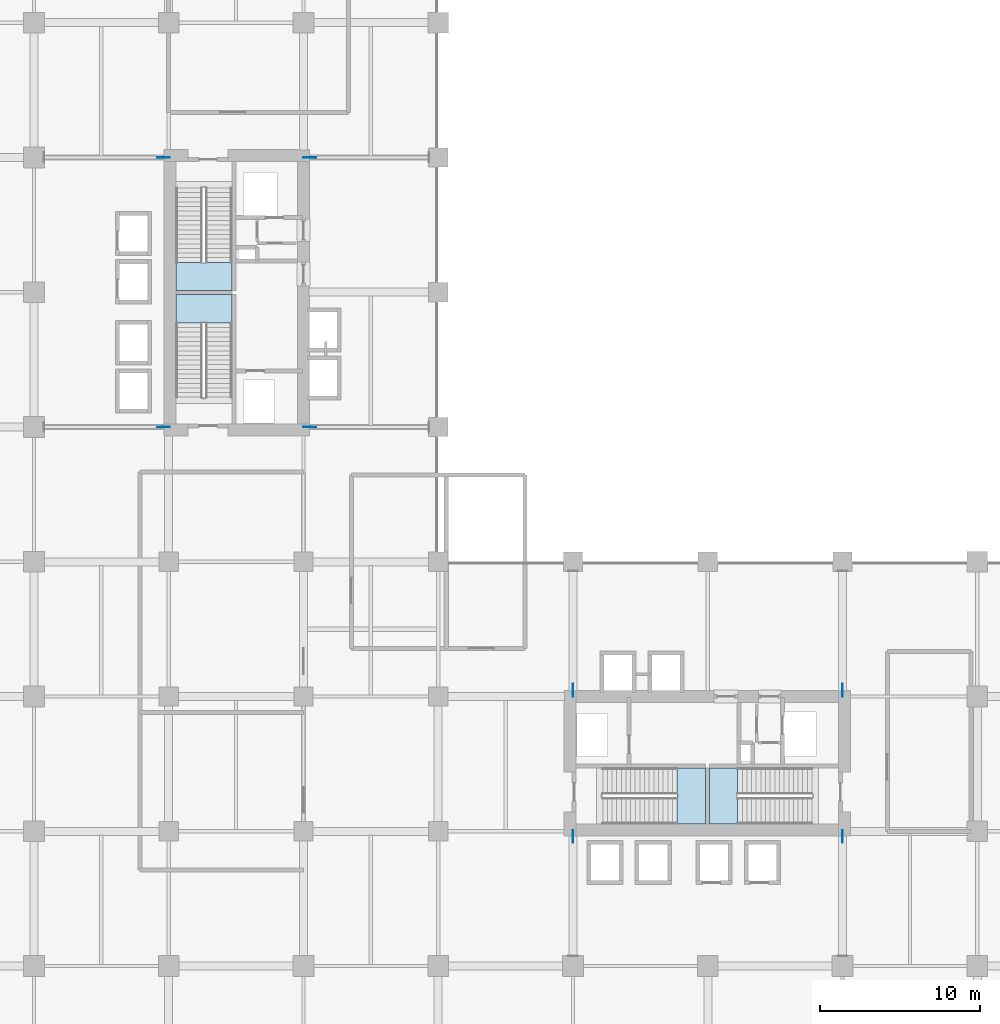
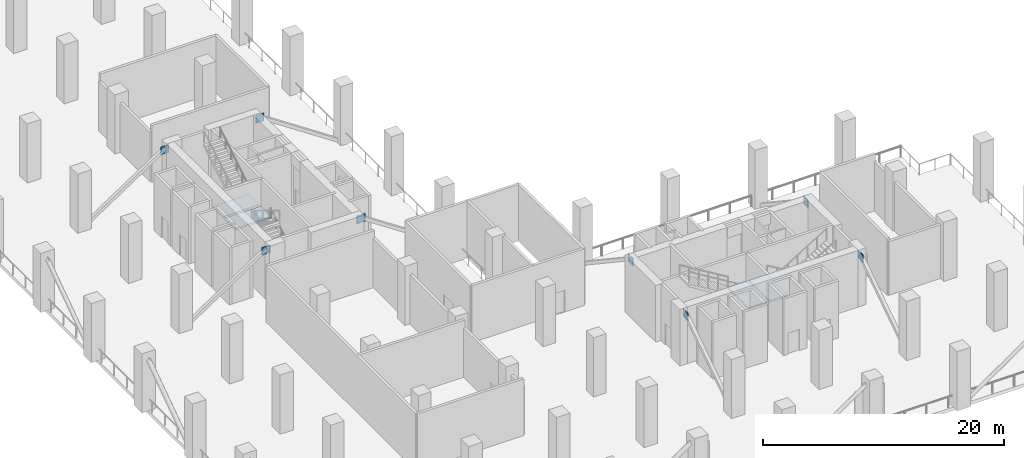
# One storey, part 4 of 19: 8 plates, 4 slabs, 4 elements without a shape of their own.
"""IFC4 building model written with IfcOpenShell, lengths in metres."""

from ifc_helpers import new_model, si_unit, direction, frame, origin, origin_2d, place, context, subcontext, project, spatial, polyline, rectangle, outline, extrude, material, layer, layer_set, type_object, element, aggregate, save


model = new_model("IFC4")

# Units and contexts
model_context = context("Model", 3, precision=1e-05, world=origin(), true_north=direction((0.0, 1.0)))
body_context = subcontext(model_context, "Body", "Model", "MODEL_VIEW")
ifc_project = project(units=[si_unit("LENGTHUNIT", "METRE"), si_unit("AREAUNIT", "SQUARE_METRE"), si_unit("VOLUMEUNIT", "CUBIC_METRE"), si_unit("PLANEANGLEUNIT", "RADIAN"), si_unit("MASSUNIT", "GRAM", prefix="KILO")], contexts=[model_context])

# Site, building, storey
site_placement = place(None, origin())
site = spatial("IfcSite", under=ifc_project, at=site_placement, CompositionType="ELEMENT")
building_placement = place(site_placement, origin())
building = spatial("IfcBuilding", under=site, at=building_placement, Name="Koriwani Terraces Tower", CompositionType="ELEMENT")
storey_placement = place(building_placement, frame((0.0, 0.0, 94.0)))
storey = spatial("IfcBuildingStorey", under=building, at=storey_placement, Name="L22", CompositionType="ELEMENT", Elevation=94.0)

# Stair, slab
ifc_material_1 = material(Name="Concrete C40/50", Category="concrete")
stair_type = type_object("IfcStairType", Name="STAIR_CORE_DOGLEG_1650", PredefinedType="TWO_STRAIGHT_RUN_STAIR", material=ifc_material_1)
stair_1_placement = place(storey_placement, origin())
stair_1 = element("IfcStair", 1, at=stair_1_placement, inside=storey, type_object=stair_type, Name="L22 West Core Exit Stair 1", PredefinedType="HALF_TURN_STAIR")
ifc_layer_1 = layer(ifc_material_1, 0.199951171875, Name="Concrete C40/50")
ifc_layer_set_1 = layer_set([ifc_layer_1], Name="Concrete C40/50")
slab_type = type_object("IfcSlabType", Name="SLAB_STAIR_LANDING_200", PredefinedType="LANDING", material=ifc_layer_set_1)
slab_1_placement = place(storey_placement, frame((0.0, 0.0, 2.800048828125)))
slab_1 = element("IfcSlab", 2, at=slab_1_placement, type_object=slab_type, Name="ST-W1 landing 1", PredefinedType="LANDING", context=body_context, shape_type="SweptSolid", body=[
    extrude(outline(polyline([(20.75, 48.489990234375), (20.75, 50.25), (17.25, 50.25), (17.25, 48.489990234375), (20.75, 48.489990234375)])), origin(), (0.0, 0.0, 1.0), 0.199951171875),
])
aggregate(stair_1, [slab_1])

stair_2_placement = place(storey_placement, origin())
stair_2 = element("IfcStair", 3, at=stair_2_placement, inside=storey, type_object=stair_type, Name="L22 West Core Exit Stair 2", PredefinedType="HALF_TURN_STAIR")
slab_2_placement = place(storey_placement, frame((0.0, 0.0, 2.800048828125)))
slab_2 = element("IfcSlab", 4, at=slab_2_placement, type_object=slab_type, Name="ST-W2 landing 1", PredefinedType="LANDING", context=body_context, shape_type="SweptSolid", body=[
    extrude(outline(polyline([(17.25, 52.260009765625), (17.25, 50.5), (20.75, 50.5), (20.75, 52.260009765625), (17.25, 52.260009765625)])), origin(), (0.0, 0.0, 1.0), 0.199951171875),
])
aggregate(stair_2, [slab_2])

stair_3_placement = place(storey_placement, origin())
stair_3 = element("IfcStair", 5, at=stair_3_placement, inside=storey, type_object=stair_type, Name="L22 East Core Exit Stair 1", PredefinedType="HALF_TURN_STAIR")
slab_3_placement = place(storey_placement, frame((0.0, 0.0, 2.800048828125)))
slab_3 = element("IfcSlab", 6, at=slab_3_placement, type_object=slab_type, Name="ST-E1 landing 1", PredefinedType="LANDING", context=body_context, shape_type="SweptSolid", body=[
    extrude(outline(polyline([(48.489990234375, 17.25), (50.25, 17.25), (50.25, 20.75), (48.489990234375, 20.75), (48.489990234375, 17.25)])), origin(), (0.0, 0.0, 1.0), 0.199951171875),
])
aggregate(stair_3, [slab_3])

stair_4_placement = place(storey_placement, origin())
stair_4 = element("IfcStair", 7, at=stair_4_placement, inside=storey, type_object=stair_type, Name="L22 East Core Exit Stair 2", PredefinedType="HALF_TURN_STAIR")
slab_4_placement = place(storey_placement, frame((0.0, 0.0, 2.800048828125)))
slab_4 = element("IfcSlab", 8, at=slab_4_placement, type_object=slab_type, Name="ST-E2 landing 1", PredefinedType="LANDING", context=body_context, shape_type="SweptSolid", body=[
    extrude(outline(polyline([(52.260009765625, 20.75), (50.5, 20.75), (50.5, 17.25), (52.260009765625, 17.25), (52.260009765625, 20.75)])), origin(), (0.0, 0.0, 1.0), 0.199951171875),
])
aggregate(stair_4, [slab_4])

# Plates
ifc_material_2 = material(Name="Steel ASTM A572 Grade 50", Category="steel")
ifc_layer_2 = layer(ifc_material_2, 0.0400390625, Name="Steel ASTM A572 Grade 50")
ifc_layer_set_2 = layer_set([ifc_layer_2], Name="Steel ASTM A572 Grade 50")
plate_type = type_object("IfcPlateType", Name="STEEL_GUSSET_PLATE_40", PredefinedType="USERDEFINED", material=ifc_layer_set_2)
for number, where, z_axis, x_axis, name in (
    (9, (16.47998046875, 42.0, 4.64990234375), (0.0, 0.0, 1.0), (1.0, 0.0, 0.0), "Outrigger truss node gusset plate L22-OW-W1"),
    (10, (16.47998046875, 58.800048828125, 4.64990234375), (0.0, 0.0, 1.0), (1.0, 0.0, 0.0), "Outrigger truss node gusset plate L22-OW-W2"),
    (11, (25.594970703125, 42.0, 4.64990234375), (0.0, 0.0, 1.0), (-1.0, 0.0, 0.0), "Outrigger truss node gusset plate L22-OW-E1"),
    (12, (25.594970703125, 58.800048828125, 4.64990234375), (0.0, 0.0, 1.0), (-1.0, 0.0, 0.0), "Outrigger truss node gusset plate L22-OW-E2"),
    (13, (42.0, 16.47998046875, 4.64990234375), (0.0, 0.0, 1.0), (0.0, 1.0, 0.0), "Outrigger truss node gusset plate L22-OE-S1"),
    (14, (58.800048828125, 16.47998046875, 4.64990234375), (0.0, 0.0, 1.0), (0.0, 1.0, 0.0), "Outrigger truss node gusset plate L22-OE-S2"),
    (15, (42.0, 25.594970703125, 4.64990234375), (0.0, 0.0, 1.0), (0.0, -1.0, 0.0), "Outrigger truss node gusset plate L22-OE-N1"),
    (16, (58.800048828125, 25.594970703125, 4.64990234375), (0.0, 0.0, 1.0), (0.0, -1.0, 0.0), "Outrigger truss node gusset plate L22-OE-N2"),
):
    element("IfcPlate", number, at=place(storey_placement, frame(where, z_axis=z_axis, x_axis=x_axis)), inside=storey, type_object=plate_type, Name=name, ObjectType="GUSSET_PLATE", PredefinedType="USERDEFINED", context=body_context, shape_type="SweptSolid", body=[
        extrude(rectangle(XDim=0.800048828125, YDim=0.0400390625, at=origin_2d()), origin(), (0.0, 0.0, 1.0), 0.800048828125),
    ])

save(model, "model.ifc")
